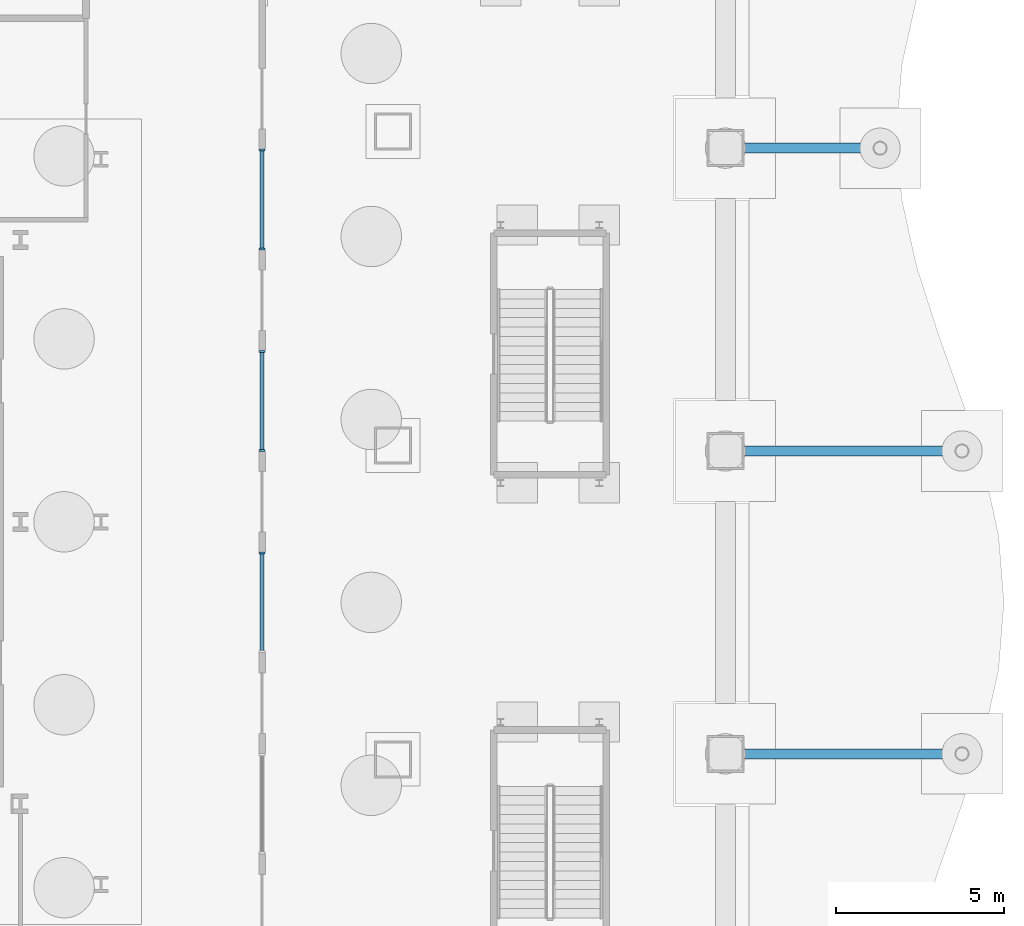
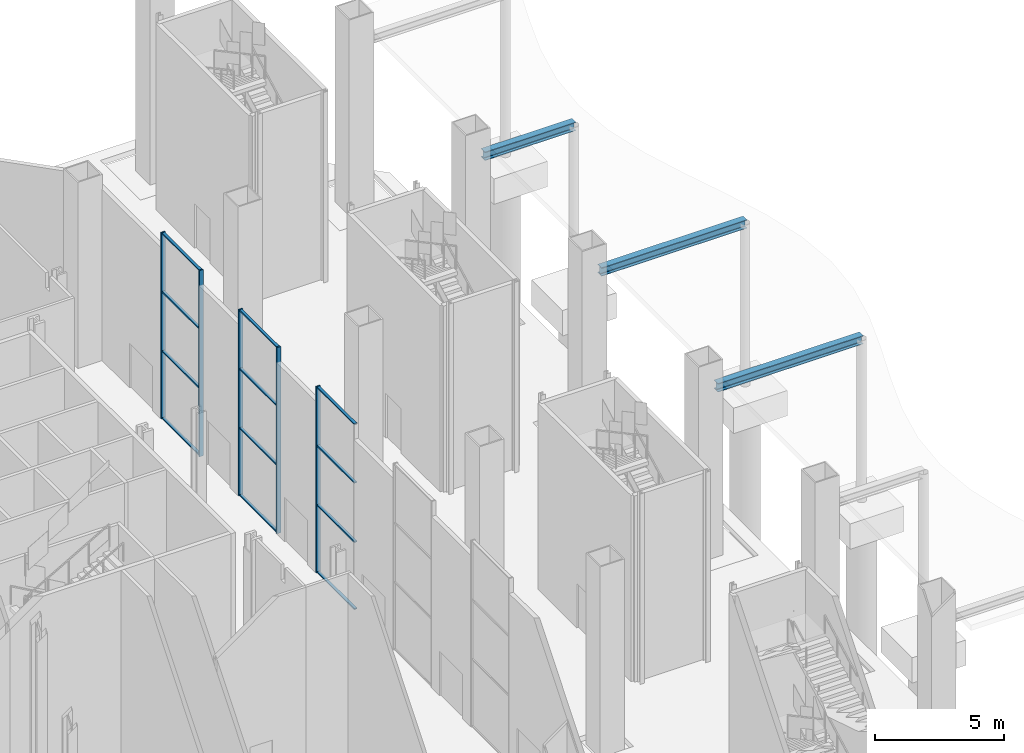
# One storey, part 18 of 38: 17 members, 3 beams, 3 elements without a shape of their own.
"""IFC4 building model written with IfcOpenShell, lengths in metres."""

from ifc_helpers import new_model, si_unit, direction, frame, origin, origin_2d, place, context, subcontext, project, spatial, rectangle, i_section, extrude, material, material_profile, profile_set, type_object, element, aggregate, save


model = new_model("IFC4")

# Units and contexts
model_context = context("Model", 3, precision=1e-05, world=origin(), true_north=direction((0.0, 1.0)))
body_context = subcontext(model_context, "Body", "Model", "MODEL_VIEW")
ifc_project = project(units=[si_unit("LENGTHUNIT", "METRE"), si_unit("AREAUNIT", "SQUARE_METRE"), si_unit("VOLUMEUNIT", "CUBIC_METRE"), si_unit("PLANEANGLEUNIT", "RADIAN"), si_unit("MASSUNIT", "GRAM", prefix="KILO")], contexts=[model_context])

# Site, building, storey
site_placement = place(None, origin())
site = spatial("IfcSite", under=ifc_project, at=site_placement, CompositionType="ELEMENT")
building_placement = place(site_placement, origin())
building = spatial("IfcBuilding", under=site, at=building_placement, Name="Cairn Pilgrim Tower", CompositionType="ELEMENT")
storey_placement = place(building_placement, origin())
storey = spatial("IfcBuildingStorey", under=building, at=storey_placement, Name="L00", CompositionType="ELEMENT", Elevation=0.0)

# Beams
ifc_material_1 = material(Name="Structural steel S355J2", Category="steel")
ifc_material_profile_1 = material_profile(ifc_material_1, i_section(OverallWidth=0.300048828125, OverallDepth=0.39990234375, WebThickness=0.013427734375, FlangeThickness=0.02392578125, FilletRadius=0.027099609375, at=origin_2d()), Name="HE 400 B")
ifc_profile_set_1 = profile_set([ifc_material_profile_1], Name="Structural steel S355J2")
beam_type = type_object("IfcBeamType", Name="MARQUISE BEAM HE 400 B", PredefinedType="BEAM", material=ifc_profile_set_1)
for number, where, z_axis, x_axis, name in (
    (1, (38.35009765625, -4.51025390625, 7.39990234375), (1.0, 0.0, 0.0), (0.0, 1.0, 0.0), "MARQUISE BEAM E3"),
    (2, (38.35009765625, 4.51025390625, 7.39990234375), (1.0, 0.0, 0.0), (0.0, 1.0, 0.0), "MARQUISE BEAM E4"),
):
    element("IfcBeam", number, at=place(storey_placement, frame(where, z_axis=z_axis, x_axis=x_axis)), inside=storey, type_object=beam_type, Name=name, PredefinedType="BEAM", context=body_context, shape_type="SweptSolid", body=[
        extrude(i_section(OverallWidth=0.300048828125, OverallDepth=0.39990234375, WebThickness=0.013427734375, FlangeThickness=0.02392578125, FilletRadius=0.027099609375, at=origin_2d()), origin(), (0.0, 0.0, 1.0), 6.498046875),
    ])
beam_placement = place(storey_placement, frame((38.35009765625, 13.531005859375, 7.39990234375), z_axis=(1.0, 0.0, 0.0), x_axis=(0.0, 1.0, 0.0)))
element("IfcBeam", 3, at=beam_placement, inside=storey, type_object=beam_type, Name="MARQUISE BEAM E5", PredefinedType="BEAM", context=body_context, shape_type="SweptSolid", body=[
    extrude(i_section(OverallWidth=0.300048828125, OverallDepth=0.39990234375, WebThickness=0.013427734375, FlangeThickness=0.02392578125, FilletRadius=0.027099609375, at=origin_2d()), origin(), (0.0, 0.0, 1.0), 4.058837890625),
])

# Curtain wall, member
ifc_material_2 = material(Name="Bronze anodised aluminium with Tinted laminated low-E glass", Category="aluminium")
curtain_wall_type = type_object("IfcCurtainWallType", Name="PAVILION CW", PredefinedType="NOTDEFINED", material=ifc_material_2)
curtain_wall_1_placement = place(storey_placement, origin())
curtain_wall_1 = element("IfcCurtainWall", 4, at=curtain_wall_1_placement, inside=storey, type_object=curtain_wall_type, Name="PAVILION CW 2.6", PredefinedType="NOTDEFINED")
ifc_material_3 = material(Name="Bronze anodised aluminium", Category="aluminium")
ifc_material_profile_2 = material_profile(ifc_material_3, rectangle(XDim=0.179931640625, YDim=0.06005859375, at=origin_2d()), Name="PAVILION MULLION 60x180 BRONZE")
ifc_profile_set_2 = profile_set([ifc_material_profile_2], Name="Bronze anodised aluminium")
member_type_1 = type_object("IfcMemberType", Name="PAVILION MULLION 60x180 BRONZE", PredefinedType="MULLION", material=ifc_profile_set_2)
member_1_placement = place(storey_placement, frame((24.0, 1.469970703125, 0.0), z_axis=(0.0, 0.0, 1.0), x_axis=(-1.0, 0.0, 0.0)))
member_1 = element("IfcMember", 5, at=member_1_placement, type_object=member_type_1, Name="PCW-26 mullion 2", PredefinedType="MULLION", context=body_context, shape_type="SweptSolid", body=[
    extrude(rectangle(XDim=0.179931640625, YDim=0.06005859375, at=origin_2d()), origin(), (0.0, 0.0, 1.0), 8.800048828125),
])

# Curtain wall, members
curtain_wall_2_placement = place(storey_placement, origin())
curtain_wall_2 = element("IfcCurtainWall", 6, at=curtain_wall_2_placement, inside=storey, type_object=curtain_wall_type, Name="PAVILION CW 2.8", PredefinedType="NOTDEFINED")
member_2_placement = place(storey_placement, frame((24.0, 4.530029296875, 0.0), z_axis=(0.0, 0.0, 1.0), x_axis=(-1.0, 0.0, 0.0)))
member_2 = element("IfcMember", 7, at=member_2_placement, type_object=member_type_1, Name="PCW-28 mullion 1", PredefinedType="MULLION", context=body_context, shape_type="SweptSolid", body=[
    extrude(rectangle(XDim=0.179931640625, YDim=0.06005859375, at=origin_2d()), origin(), (0.0, 0.0, 1.0), 8.800048828125),
])
member_3_placement = place(storey_placement, frame((24.0, 7.469970703125, 0.0), z_axis=(0.0, 0.0, 1.0), x_axis=(-1.0, 0.0, 0.0)))
member_3 = element("IfcMember", 8, at=member_3_placement, type_object=member_type_1, Name="PCW-28 mullion 2", PredefinedType="MULLION", context=body_context, shape_type="SweptSolid", body=[
    extrude(rectangle(XDim=0.179931640625, YDim=0.06005859375, at=origin_2d()), origin(), (0.0, 0.0, 1.0), 8.800048828125),
])

curtain_wall_3_placement = place(storey_placement, origin())
curtain_wall_3 = element("IfcCurtainWall", 9, at=curtain_wall_3_placement, inside=storey, type_object=curtain_wall_type, Name="PAVILION CW 2.10", PredefinedType="NOTDEFINED")
member_4_placement = place(storey_placement, frame((24.0, 10.530029296875, 0.0), z_axis=(0.0, 0.0, 1.0), x_axis=(-1.0, 0.0, 0.0)))
member_4 = element("IfcMember", 10, at=member_4_placement, type_object=member_type_1, Name="PCW-210 mullion 1", PredefinedType="MULLION", context=body_context, shape_type="SweptSolid", body=[
    extrude(rectangle(XDim=0.179931640625, YDim=0.06005859375, at=origin_2d()), origin(), (0.0, 0.0, 1.0), 8.800048828125),
])
member_5_placement = place(storey_placement, frame((24.0, 13.469970703125, 0.0), z_axis=(0.0, 0.0, 1.0), x_axis=(-1.0, 0.0, 0.0)))
member_5 = element("IfcMember", 11, at=member_5_placement, type_object=member_type_1, Name="PCW-210 mullion 2", PredefinedType="MULLION", context=body_context, shape_type="SweptSolid", body=[
    extrude(rectangle(XDim=0.179931640625, YDim=0.06005859375, at=origin_2d()), origin(), (0.0, 0.0, 1.0), 8.800048828125),
])

# Member
ifc_material_profile_3 = material_profile(ifc_material_3, rectangle(XDim=0.1201171875, YDim=0.06005859375, at=origin_2d()), Name="PAVILION TRANSOM 60x120 BRONZE")
ifc_profile_set_3 = profile_set([ifc_material_profile_3], Name="Bronze anodised aluminium")
member_type_2 = type_object("IfcMemberType", Name="PAVILION TRANSOM 60x120 BRONZE", PredefinedType="USERDEFINED", material=ifc_profile_set_3)
member_6_placement = place(storey_placement, frame((24.0, -1.43994140625, 0.030029296875), z_axis=(0.0, 1.0, 0.0), x_axis=(-1.0, 0.0, 0.0)))
member_6 = element("IfcMember", 12, at=member_6_placement, type_object=member_type_2, Name="PCW-26 transom 1.1", ObjectType="TRANSOM", PredefinedType="USERDEFINED", context=body_context, shape_type="SweptSolid", body=[
    extrude(rectangle(XDim=0.1201171875, YDim=0.06005859375, at=origin_2d()), origin(), (0.0, 0.0, 1.0), 2.8798828125),
])

member_7_placement = place(storey_placement, frame((24.0, -1.43994140625, 3.199951171875), z_axis=(0.0, 1.0, 0.0), x_axis=(-1.0, 0.0, 0.0)))
member_7 = element("IfcMember", 13, at=member_7_placement, type_object=member_type_2, Name="PCW-26 transom 1.2", ObjectType="TRANSOM", PredefinedType="USERDEFINED", context=body_context, shape_type="SweptSolid", body=[
    extrude(rectangle(XDim=0.1201171875, YDim=0.06005859375, at=origin_2d()), origin(), (0.0, 0.0, 1.0), 2.8798828125),
])

member_8_placement = place(storey_placement, frame((24.0, -1.43994140625, 6.0), z_axis=(0.0, 1.0, 0.0), x_axis=(-1.0, 0.0, 0.0)))
member_8 = element("IfcMember", 14, at=member_8_placement, type_object=member_type_2, Name="PCW-26 transom 1.3", ObjectType="TRANSOM", PredefinedType="USERDEFINED", context=body_context, shape_type="SweptSolid", body=[
    extrude(rectangle(XDim=0.1201171875, YDim=0.06005859375, at=origin_2d()), origin(), (0.0, 0.0, 1.0), 2.8798828125),
])

member_9_placement = place(storey_placement, frame((24.0, -1.43994140625, 8.77001953125), z_axis=(0.0, 1.0, 0.0), x_axis=(-1.0, 0.0, 0.0)))
member_9 = element("IfcMember", 15, at=member_9_placement, type_object=member_type_2, Name="PCW-26 transom 1.4", ObjectType="TRANSOM", PredefinedType="USERDEFINED", context=body_context, shape_type="SweptSolid", body=[
    extrude(rectangle(XDim=0.1201171875, YDim=0.06005859375, at=origin_2d()), origin(), (0.0, 0.0, 1.0), 2.8798828125),
])

aggregate(curtain_wall_1, [member_1, member_6, member_7, member_8, member_9])

member_10_placement = place(storey_placement, frame((24.0, 4.56005859375, 0.030029296875), z_axis=(0.0, 1.0, 0.0), x_axis=(-1.0, 0.0, 0.0)))
member_10 = element("IfcMember", 16, at=member_10_placement, type_object=member_type_2, Name="PCW-28 transom 1.1", ObjectType="TRANSOM", PredefinedType="USERDEFINED", context=body_context, shape_type="SweptSolid", body=[
    extrude(rectangle(XDim=0.1201171875, YDim=0.06005859375, at=origin_2d()), origin(), (0.0, 0.0, 1.0), 2.8798828125),
])

member_11_placement = place(storey_placement, frame((24.0, 4.56005859375, 3.199951171875), z_axis=(0.0, 1.0, 0.0), x_axis=(-1.0, 0.0, 0.0)))
member_11 = element("IfcMember", 17, at=member_11_placement, type_object=member_type_2, Name="PCW-28 transom 1.2", ObjectType="TRANSOM", PredefinedType="USERDEFINED", context=body_context, shape_type="SweptSolid", body=[
    extrude(rectangle(XDim=0.1201171875, YDim=0.06005859375, at=origin_2d()), origin(), (0.0, 0.0, 1.0), 2.8798828125),
])

member_12_placement = place(storey_placement, frame((24.0, 4.56005859375, 6.0), z_axis=(0.0, 1.0, 0.0), x_axis=(-1.0, 0.0, 0.0)))
member_12 = element("IfcMember", 18, at=member_12_placement, type_object=member_type_2, Name="PCW-28 transom 1.3", ObjectType="TRANSOM", PredefinedType="USERDEFINED", context=body_context, shape_type="SweptSolid", body=[
    extrude(rectangle(XDim=0.1201171875, YDim=0.06005859375, at=origin_2d()), origin(), (0.0, 0.0, 1.0), 2.8798828125),
])

member_13_placement = place(storey_placement, frame((24.0, 4.56005859375, 8.77001953125), z_axis=(0.0, 1.0, 0.0), x_axis=(-1.0, 0.0, 0.0)))
member_13 = element("IfcMember", 19, at=member_13_placement, type_object=member_type_2, Name="PCW-28 transom 1.4", ObjectType="TRANSOM", PredefinedType="USERDEFINED", context=body_context, shape_type="SweptSolid", body=[
    extrude(rectangle(XDim=0.1201171875, YDim=0.06005859375, at=origin_2d()), origin(), (0.0, 0.0, 1.0), 2.8798828125),
])

aggregate(curtain_wall_2, [member_2, member_3, member_10, member_11, member_12, member_13])

member_14_placement = place(storey_placement, frame((24.0, 10.56005859375, 0.030029296875), z_axis=(0.0, 1.0, 0.0), x_axis=(-1.0, 0.0, 0.0)))
member_14 = element("IfcMember", 20, at=member_14_placement, type_object=member_type_2, Name="PCW-210 transom 1.1", ObjectType="TRANSOM", PredefinedType="USERDEFINED", context=body_context, shape_type="SweptSolid", body=[
    extrude(rectangle(XDim=0.1201171875, YDim=0.06005859375, at=origin_2d()), origin(), (0.0, 0.0, 1.0), 2.8798828125),
])

member_15_placement = place(storey_placement, frame((24.0, 10.56005859375, 3.199951171875), z_axis=(0.0, 1.0, 0.0), x_axis=(-1.0, 0.0, 0.0)))
member_15 = element("IfcMember", 21, at=member_15_placement, type_object=member_type_2, Name="PCW-210 transom 1.2", ObjectType="TRANSOM", PredefinedType="USERDEFINED", context=body_context, shape_type="SweptSolid", body=[
    extrude(rectangle(XDim=0.1201171875, YDim=0.06005859375, at=origin_2d()), origin(), (0.0, 0.0, 1.0), 2.8798828125),
])

member_16_placement = place(storey_placement, frame((24.0, 10.56005859375, 6.0), z_axis=(0.0, 1.0, 0.0), x_axis=(-1.0, 0.0, 0.0)))
member_16 = element("IfcMember", 22, at=member_16_placement, type_object=member_type_2, Name="PCW-210 transom 1.3", ObjectType="TRANSOM", PredefinedType="USERDEFINED", context=body_context, shape_type="SweptSolid", body=[
    extrude(rectangle(XDim=0.1201171875, YDim=0.06005859375, at=origin_2d()), origin(), (0.0, 0.0, 1.0), 2.8798828125),
])

member_17_placement = place(storey_placement, frame((24.0, 10.56005859375, 8.77001953125), z_axis=(0.0, 1.0, 0.0), x_axis=(-1.0, 0.0, 0.0)))
member_17 = element("IfcMember", 23, at=member_17_placement, type_object=member_type_2, Name="PCW-210 transom 1.4", ObjectType="TRANSOM", PredefinedType="USERDEFINED", context=body_context, shape_type="SweptSolid", body=[
    extrude(rectangle(XDim=0.1201171875, YDim=0.06005859375, at=origin_2d()), origin(), (0.0, 0.0, 1.0), 2.8798828125),
])

aggregate(curtain_wall_3, [member_4, member_5, member_14, member_15, member_16, member_17])

save(model, "model.ifc")
